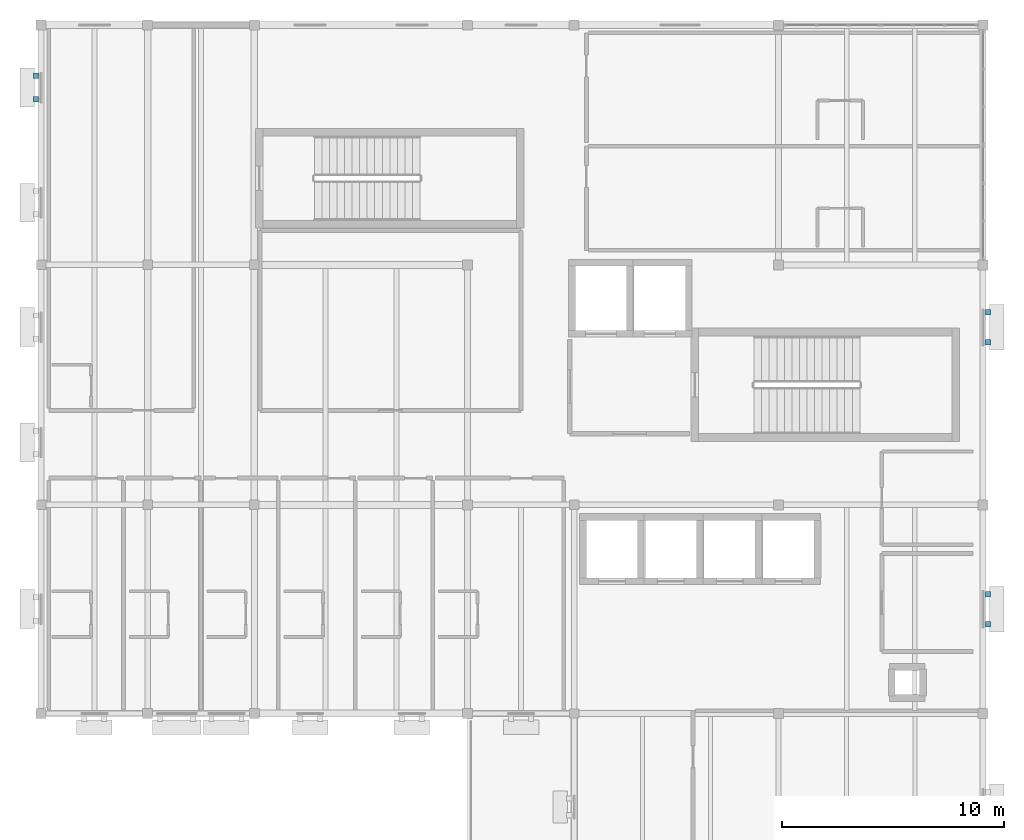
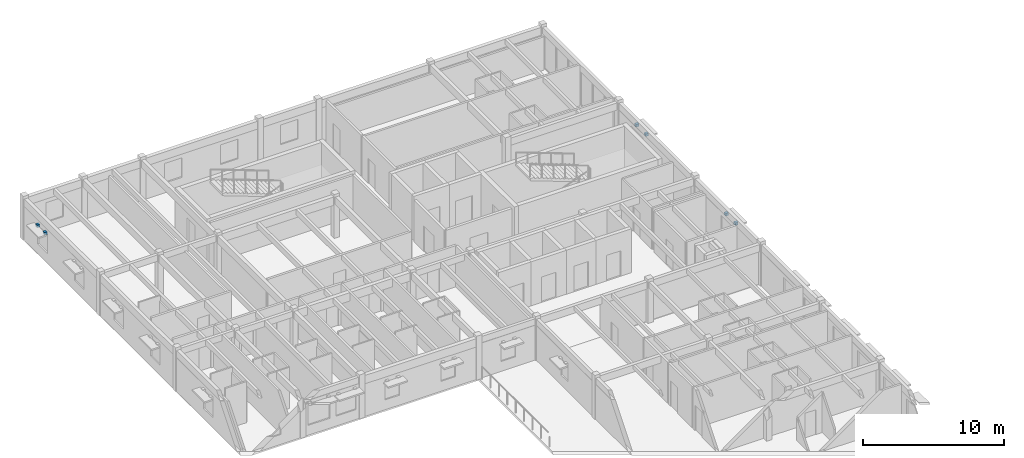
# One storey, part 13 of 18: 6 discrete accessories.
"""IFC4 building model written with IfcOpenShell, lengths in metres."""

from ifc_helpers import new_model, si_unit, direction, frame, origin, origin_2d, place, context, subcontext, project, spatial, rectangle, extrude, material, type_object, element, save


model = new_model("IFC4")

# Units and contexts
model_context = context("Model", 3, precision=1e-05, world=origin(), true_north=direction((0.0, 1.0)))
body_context = subcontext(model_context, "Body", "Model", "MODEL_VIEW")
ifc_project = project(units=[si_unit("LENGTHUNIT", "METRE"), si_unit("AREAUNIT", "SQUARE_METRE"), si_unit("VOLUMEUNIT", "CUBIC_METRE"), si_unit("PLANEANGLEUNIT", "RADIAN"), si_unit("MASSUNIT", "GRAM", prefix="KILO")], contexts=[model_context])

# Site, building, storey
site_placement = place(None, origin())
site = spatial("IfcSite", under=ifc_project, at=site_placement, CompositionType="ELEMENT")
building_placement = place(site_placement, origin())
building = spatial("IfcBuilding", under=site, at=building_placement, Name="Veldera Park Congress Hotel", CompositionType="ELEMENT")
storey_placement = place(building_placement, frame((0.0, 0.0, 31.39990234375)))
storey = spatial("IfcBuildingStorey", under=building, at=storey_placement, Name="L07", CompositionType="ELEMENT", Elevation=31.39990234375)

# Discrete accessories
ifc_material = material(Name="Steel ASTM A992 Gr.50", Category="steel")
discrete_accessory_type = type_object("IfcDiscreteAccessoryType", Name="ACC-BRK160", PredefinedType="BRACKET", material=ifc_material)
for number, where, z_axis, x_axis, name in (
    (1, (84.22998046875, 31.02490234375, 2.6201171875), (0.0, 0.0, 1.0), (0.0, 1.0, 0.0), "Shading Steel Outrigger Bracket 193L"),
    (2, (84.22998046875, 32.375, 2.6201171875), (0.0, 0.0, 1.0), (0.0, 1.0, 0.0), "Shading Steel Outrigger Bracket 193R"),
    (3, (84.22998046875, 43.71337890625, 2.6201171875), (0.0, 0.0, 1.0), (0.0, 1.0, 0.0), "Shading Steel Outrigger Bracket 194L"),
    (4, (84.22998046875, 45.0634765625, 2.6201171875), (0.0, 0.0, 1.0), (0.0, 1.0, 0.0), "Shading Steel Outrigger Bracket 194R"),
    (5, (41.3701171875, 55.709716796875, 2.47021484375), (0.0, 0.0, 1.0), (0.0, -1.0, 0.0), "Shading Steel Outrigger Bracket 195L"),
    (6, (41.3701171875, 54.659912109375, 2.47021484375), (0.0, 0.0, 1.0), (0.0, -1.0, 0.0), "Shading Steel Outrigger Bracket 195R"),
):
    element("IfcDiscreteAccessory", number, at=place(storey_placement, frame(where, z_axis=z_axis, x_axis=x_axis)), inside=storey, type_object=discrete_accessory_type, Name=name, PredefinedType="BRACKET", context=body_context, shape_type="SweptSolid", body=[
        extrude(rectangle(XDim=0.239990234375, YDim=0.239990234375, at=origin_2d()), origin(), (0.0, 0.0, 1.0), 0.219970703125),
    ])

save(model, "model.ifc")
